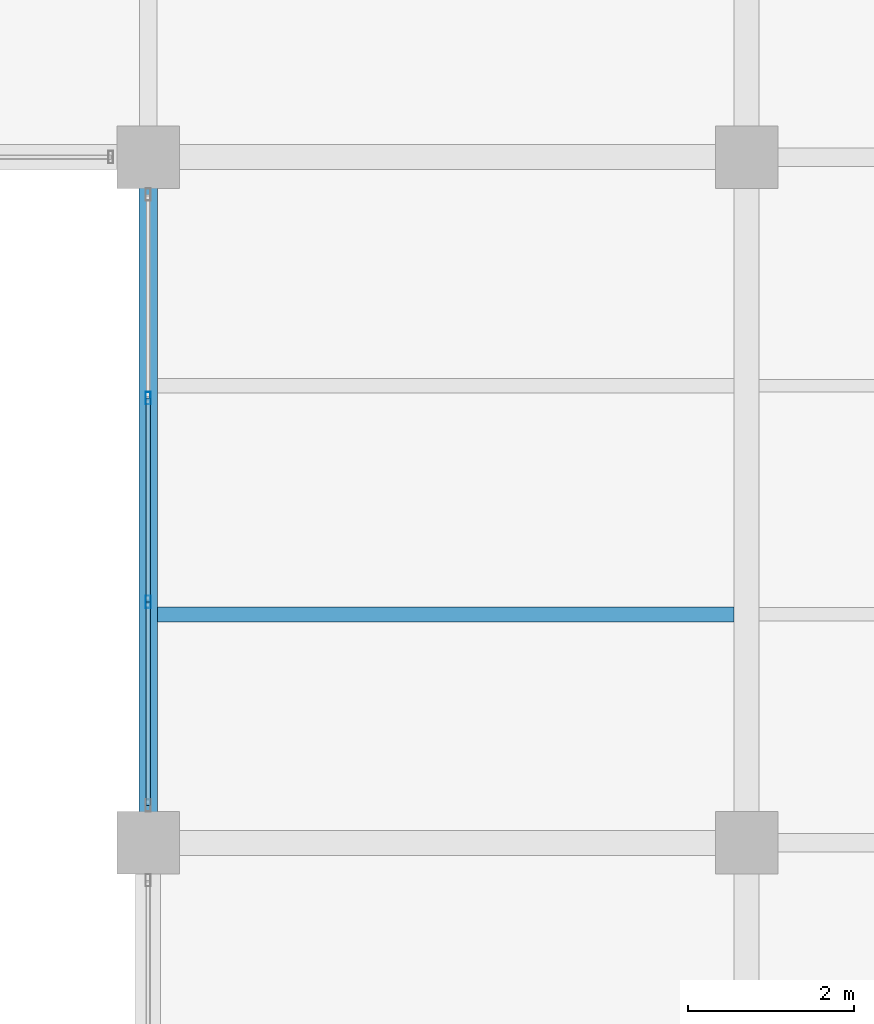
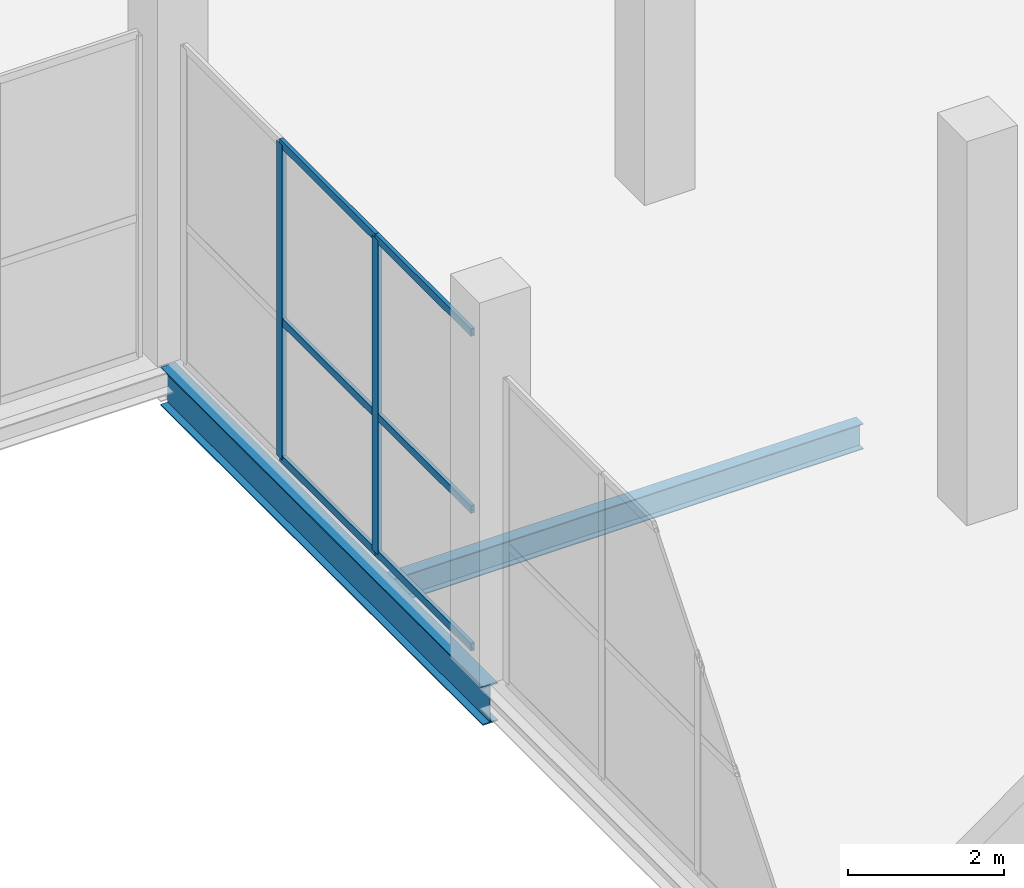
# One storey, part 112 of 144: 8 members, 2 beams, 1 element without a shape of its own.
"""IFC4 building model written with IfcOpenShell, lengths in metres."""

from ifc_helpers import new_model, si_unit, direction, frame, origin, origin_2d, place, context, subcontext, project, spatial, hollow_rectangle, i_section, extrude, material, layer, layer_set, material_profile, profile_set, type_object, element, aggregate, save


model = new_model("IFC4")

# Units and contexts
model_context = context("Model", 3, precision=1e-05, world=origin(), true_north=direction((0.0, 1.0)))
body_context = subcontext(model_context, "Body", "Model", "MODEL_VIEW")
ifc_project = project(units=[si_unit("LENGTHUNIT", "METRE"), si_unit("AREAUNIT", "SQUARE_METRE"), si_unit("VOLUMEUNIT", "CUBIC_METRE"), si_unit("PLANEANGLEUNIT", "RADIAN"), si_unit("MASSUNIT", "GRAM", prefix="KILO")], contexts=[model_context])

# Site, building, storey
site_placement = place(None, origin())
site = spatial("IfcSite", under=ifc_project, at=site_placement, CompositionType="ELEMENT")
building_placement = place(site_placement, origin())
building = spatial("IfcBuilding", under=site, at=building_placement, Name="Sundgate Opera House", CompositionType="ELEMENT")
storey_placement = place(building_placement, origin())
storey = spatial("IfcBuildingStorey", under=building, at=storey_placement, Name="L00", CompositionType="ELEMENT", Elevation=0.0)

# Beams
ifc_material_1 = material(Name="Steel S355J2", Category="steel")
ifc_material_profile_1 = material_profile(ifc_material_1, i_section(OverallWidth=0.219970703125, OverallDepth=0.60009765625, WebThickness=0.011962890625, FlangeThickness=0.01904296875, at=origin_2d()), Name="IPE 600")
ifc_profile_set_1 = profile_set([ifc_material_profile_1], Name="Steel S355J2")
beam_type_1 = type_object("IfcBeamType", Name="BM-GR-IPE600", PredefinedType="BEAM", material=ifc_profile_set_1)
beam_1_placement = place(storey_placement, frame((153.0, 103.5, -0.6201171875), z_axis=(0.0, 1.0, 0.0), x_axis=(-1.0, 0.0, 0.0)))
element("IfcBeam", 1, at=beam_1_placement, inside=storey, type_object=beam_type_1, Name="L00 Primary N-S Girder B0293", PredefinedType="BEAM", context=body_context, shape_type="SweptSolid", body=[
    extrude(i_section(OverallWidth=0.219970703125, OverallDepth=0.60009765625, WebThickness=0.011962890625, FlangeThickness=0.01904296875, at=origin_2d()), origin(), (0.0, 0.0, 1.0), 8.25),
])
ifc_material_2 = material(Name="Steel S355J2", Category="steel")
ifc_material_profile_2 = material_profile(ifc_material_2, i_section(OverallWidth=0.179931640625, OverallDepth=0.39990234375, WebThickness=0.008544921875, FlangeThickness=0.013427734375, at=origin_2d()), Name="IPE 400")
ifc_profile_set_2 = profile_set([ifc_material_profile_2], Name="Steel S355J2")
beam_type_2 = type_object("IfcBeamType", Name="BM-JS-IPE400", PredefinedType="JOIST", material=ifc_profile_set_2)
beam_2_placement = place(storey_placement, frame((153.110107421875, 106.25, -0.52001953125), z_axis=(1.0, 0.0, 0.0), x_axis=(0.0, 1.0, 0.0)))
element("IfcBeam", 2, at=beam_2_placement, inside=storey, type_object=beam_type_2, Name="L00 Secondary Floor Joist B1016", PredefinedType="JOIST", context=body_context, shape_type="SweptSolid", body=[
    extrude(i_section(OverallWidth=0.179931640625, OverallDepth=0.39990234375, WebThickness=0.008544921875, FlangeThickness=0.013427734375, at=origin_2d()), origin(), (0.0, 0.0, 1.0), 6.93994140625),
])

# Curtain wall, members
ifc_material_3 = material(Name="Anodized aluminium and low-iron glass", Category="aluminium")
ifc_layer = layer(ifc_material_3, 0.159912109375)
ifc_layer_set = layer_set([ifc_layer], Name="Anodized aluminium and low-iron glass")
curtain_wall_type = type_object("IfcCurtainWallType", Name="CW-STUDIO-DARK", PredefinedType="NOTDEFINED", material=ifc_layer_set)
curtain_wall_placement = place(storey_placement, origin())
curtain_wall = element("IfcCurtainWall", 3, at=curtain_wall_placement, inside=storey, type_object=curtain_wall_type, Name="L00 Curtain Wall CW093", PredefinedType="NOTDEFINED")
ifc_material_4 = material(Name="Anodized aluminium EN AW-6063", Category="aluminium")
ifc_material_profile_3 = material_profile(ifc_material_4, hollow_rectangle(XDim=0.06005859375, YDim=0.14990234375, WallThickness=0.00390625, at=origin_2d()), Name="CWM 150x60x4")
ifc_profile_set_3 = profile_set([ifc_material_profile_3], Name="Anodized aluminium EN AW-6063")
member_type_1 = type_object("IfcMemberType", Name="CWM-ALU-150x60", PredefinedType="MULLION", material=ifc_profile_set_3)
member_1_placement = place(storey_placement, frame((153.0, 108.85009765625, 0.0), z_axis=(0.0, 0.0, 1.0), x_axis=(1.0, 0.0, 0.0)))
member_1 = element("IfcMember", 4, at=member_1_placement, type_object=member_type_1, Name="CW093 Mullion 2", PredefinedType="MULLION", context=body_context, shape_type="SweptSolid", body=[
    extrude(hollow_rectangle(XDim=0.06005859375, YDim=0.14990234375, WallThickness=0.00390625, at=origin_2d()), origin(), (0.0, 0.0, 1.0), 4.9150390625),
])
member_2_placement = place(storey_placement, frame((153.0, 106.39990234375, 0.0), z_axis=(0.0, 0.0, 1.0), x_axis=(1.0, 0.0, 0.0)))
member_2 = element("IfcMember", 5, at=member_2_placement, type_object=member_type_1, Name="CW093 Mullion 3", PredefinedType="MULLION", context=body_context, shape_type="SweptSolid", body=[
    extrude(hollow_rectangle(XDim=0.06005859375, YDim=0.14990234375, WallThickness=0.00390625, at=origin_2d()), origin(), (0.0, 0.0, 1.0), 4.9150390625),
])
ifc_material_5 = material(Name="Anodized aluminium EN AW-6063", Category="aluminium")
ifc_material_profile_4 = material_profile(ifc_material_5, hollow_rectangle(XDim=0.054931640625, YDim=0.1201171875, WallThickness=0.00390625, at=origin_2d()), Name="CWT 120x55x4")
ifc_profile_set_4 = profile_set([ifc_material_profile_4], Name="Anodized aluminium EN AW-6063")
member_type_2 = type_object("IfcMemberType", Name="CWT-ALU-120x55", PredefinedType="USERDEFINED", material=ifc_profile_set_4)
member_3_placement = place(storey_placement, frame((153.0, 108.85009765625, 0.0), z_axis=(0.0, -1.0, 0.0), x_axis=(1.0, 0.0, 0.0)))
member_3 = element("IfcMember", 6, at=member_3_placement, type_object=member_type_2, Name="CW093 Transom 4", ObjectType="TRANSOM", PredefinedType="USERDEFINED", context=body_context, shape_type="SweptSolid", body=[
    extrude(hollow_rectangle(XDim=0.054931640625, YDim=0.1201171875, WallThickness=0.00390625, at=origin_2d()), origin(), (0.0, 0.0, 1.0), 2.4501953125),
])
member_4_placement = place(storey_placement, frame((153.0, 108.85009765625, 2.14990234375), z_axis=(0.0, -1.0, 0.0), x_axis=(1.0, 0.0, 0.0)))
member_4 = element("IfcMember", 7, at=member_4_placement, type_object=member_type_2, Name="CW093 Transom 5", ObjectType="TRANSOM", PredefinedType="USERDEFINED", context=body_context, shape_type="SweptSolid", body=[
    extrude(hollow_rectangle(XDim=0.054931640625, YDim=0.1201171875, WallThickness=0.00390625, at=origin_2d()), origin(), (0.0, 0.0, 1.0), 2.4501953125),
])
member_5_placement = place(storey_placement, frame((153.0, 108.85009765625, 4.9150390625), z_axis=(0.0, -1.0, 0.0), x_axis=(1.0, 0.0, 0.0)))
member_5 = element("IfcMember", 8, at=member_5_placement, type_object=member_type_2, Name="CW093 Transom 6", ObjectType="TRANSOM", PredefinedType="USERDEFINED", context=body_context, shape_type="SweptSolid", body=[
    extrude(hollow_rectangle(XDim=0.054931640625, YDim=0.1201171875, WallThickness=0.00390625, at=origin_2d()), origin(), (0.0, 0.0, 1.0), 2.4501953125),
])
member_6_placement = place(storey_placement, frame((153.0, 106.39990234375, 0.0), z_axis=(0.0, -1.0, 0.0), x_axis=(1.0, 0.0, 0.0)))
member_6 = element("IfcMember", 9, at=member_6_placement, type_object=member_type_2, Name="CW093 Transom 7", ObjectType="TRANSOM", PredefinedType="USERDEFINED", context=body_context, shape_type="SweptSolid", body=[
    extrude(hollow_rectangle(XDim=0.054931640625, YDim=0.1201171875, WallThickness=0.00390625, at=origin_2d()), origin(), (0.0, 0.0, 1.0), 2.449951171875),
])
member_7_placement = place(storey_placement, frame((153.0, 106.39990234375, 2.14990234375), z_axis=(0.0, -1.0, 0.0), x_axis=(1.0, 0.0, 0.0)))
member_7 = element("IfcMember", 10, at=member_7_placement, type_object=member_type_2, Name="CW093 Transom 8", ObjectType="TRANSOM", PredefinedType="USERDEFINED", context=body_context, shape_type="SweptSolid", body=[
    extrude(hollow_rectangle(XDim=0.054931640625, YDim=0.1201171875, WallThickness=0.00390625, at=origin_2d()), origin(), (0.0, 0.0, 1.0), 2.449951171875),
])
member_8_placement = place(storey_placement, frame((153.0, 106.39990234375, 4.9150390625), z_axis=(0.0, -1.0, 0.0), x_axis=(1.0, 0.0, 0.0)))
member_8 = element("IfcMember", 11, at=member_8_placement, type_object=member_type_2, Name="CW093 Transom 9", ObjectType="TRANSOM", PredefinedType="USERDEFINED", context=body_context, shape_type="SweptSolid", body=[
    extrude(hollow_rectangle(XDim=0.054931640625, YDim=0.1201171875, WallThickness=0.00390625, at=origin_2d()), origin(), (0.0, 0.0, 1.0), 2.449951171875),
])
aggregate(curtain_wall, [member_1, member_2, member_3, member_4, member_5, member_6, member_7, member_8])

save(model, "model.ifc")
